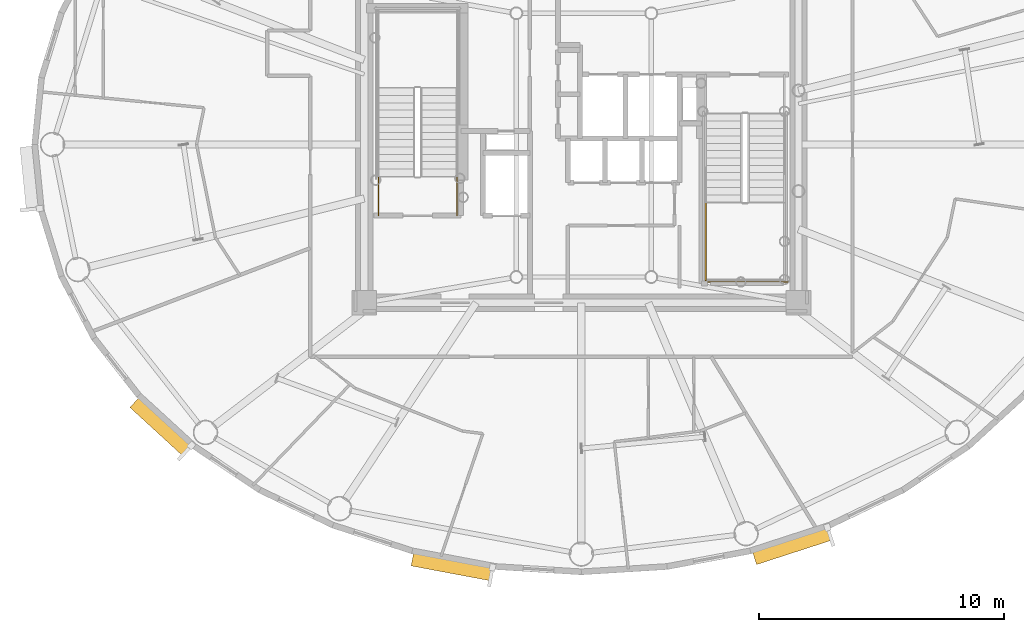
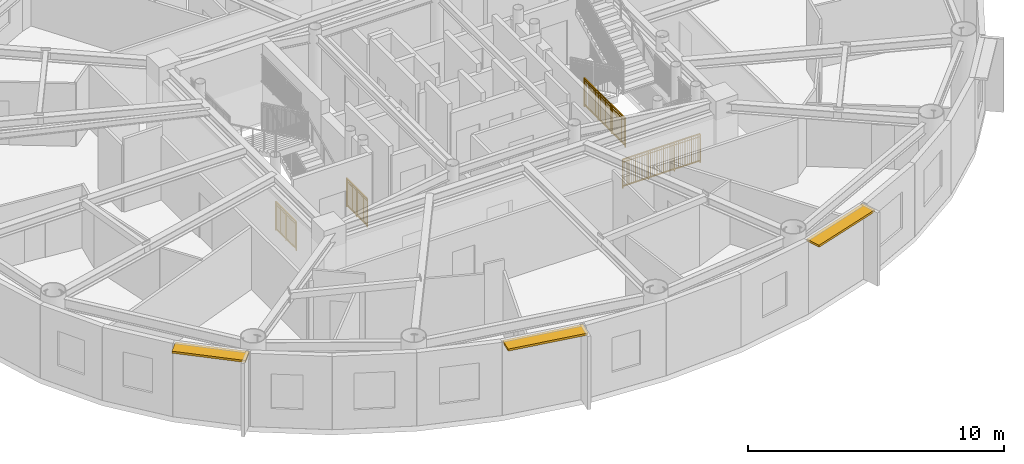
# One storey, part 12 of 18: 4 railings, 3 shading devices.
"""IFC4 building model written with IfcOpenShell, lengths in metres."""

from ifc_helpers import new_model, si_unit, direction, frame, origin, origin_2d, place, context, subcontext, project, spatial, rectangle, extrude, source, transform, mapped, material, layer, layer_set, type_object, element, save


model = new_model("IFC4")

# Units and contexts
model_context = context("Model", 3, precision=1e-05, world=origin(), true_north=direction((0.0, 1.0)))
body_context = subcontext(model_context, "Body", "Model", "MODEL_VIEW")
ifc_project = project(units=[si_unit("LENGTHUNIT", "METRE"), si_unit("AREAUNIT", "SQUARE_METRE"), si_unit("VOLUMEUNIT", "CUBIC_METRE"), si_unit("PLANEANGLEUNIT", "RADIAN"), si_unit("MASSUNIT", "GRAM", prefix="KILO")], contexts=[model_context])

# Site, building, storey
site_placement = place(None, origin())
site = spatial("IfcSite", under=ifc_project, at=site_placement, CompositionType="ELEMENT")
building_placement = place(site_placement, origin())
building = spatial("IfcBuilding", under=site, at=building_placement, Name="Linh Dai School and Residence Tower", CompositionType="ELEMENT")
storey_placement = place(building_placement, frame((0.0, 0.0, 291.75)))
storey = spatial("IfcBuildingStorey", under=building, at=storey_placement, Name="L72", CompositionType="ELEMENT", Elevation=291.75)

# Shading devices
ifc_material_1 = material(Name="Terracotta Ceramic Sunshade", Category="masonry")
ifc_layer = layer(ifc_material_1, 0.10009765625)
ifc_layer_set = layer_set([ifc_layer], Name="Terracotta Ceramic Sunshade")
shading_device_type = type_object("IfcShadingDeviceType", Name="SHD-TC-650", PredefinedType="USERDEFINED", material=ifc_layer_set)
shared_shape_1 = source(origin(), body_context, "Body", "SweptSolid", [
    extrude(rectangle(XDim=2.9541015625, YDim=0.64990234375, at=origin_2d()), origin(), (0.0, 0.0, 1.0), 0.10009765625),
])
shading_device_1_placement = place(storey_placement, frame((18.9111328125, 15.525390625, 3.3798828125), z_axis=(0.0, 0.0, 1.0), x_axis=(-0.737104227651, 0.675779074535, 0.0)))
element("IfcShadingDevice", 1, at=shading_device_1_placement, inside=storey, type_object=shading_device_type, Name="L72 Terracotta Horizontal Sunshade Band 25", ObjectType="SUNSHADE", PredefinedType="USERDEFINED", context=body_context, shape_type="MappedRepresentation", body=[
    mapped(shared_shape_1, transform((0.0, 0.0, 0.0), x_axis=(1.0, 0.0, 0.0), y_axis=(0.0, 1.0, 0.0), z_axis=(0.0, 0.0, 1.0), scale=1.0)),
])
shared_shape_2 = source(origin(), body_context, "Body", "SweptSolid", [
    extrude(rectangle(XDim=3.323486328125, YDim=0.64990234375, at=origin_2d()), origin(), (0.0, 0.0, 1.0), 0.10009765625),
])
shading_device_2_placement = place(storey_placement, frame((30.75732421875, 9.839599609375, 3.3798828125), z_axis=(0.0, 0.0, 1.0), x_axis=(-0.982785325002, 0.184751197452, 0.0)))
element("IfcShadingDevice", 2, at=shading_device_2_placement, inside=storey, type_object=shading_device_type, Name="L72 Terracotta Horizontal Sunshade Band 29", ObjectType="SUNSHADE", PredefinedType="USERDEFINED", context=body_context, shape_type="MappedRepresentation", body=[
    mapped(shared_shape_2, transform((0.0, 0.0, 0.0), x_axis=(1.0, 0.0, 0.0), y_axis=(0.0, 1.0, 0.0), z_axis=(0.0, 0.0, 1.0), scale=1.0)),
])
shared_shape_3 = source(origin(), body_context, "Body", "SweptSolid", [
    extrude(rectangle(XDim=3.26171875, YDim=0.64990234375, at=origin_2d()), origin(), (0.0, 0.0, 1.0), 0.10009765625),
])
shading_device_3_placement = place(storey_placement, frame((44.594970703125, 10.692626953125, 3.3798828125), z_axis=(0.0, 0.0, 1.0), x_axis=(-0.951218243545, -0.308518805176, 0.0)))
element("IfcShadingDevice", 3, at=shading_device_3_placement, inside=storey, type_object=shading_device_type, Name="L72 Terracotta Horizontal Sunshade Band 33", ObjectType="SUNSHADE", PredefinedType="USERDEFINED", context=body_context, shape_type="MappedRepresentation", body=[
    mapped(shared_shape_3, transform((0.0, 0.0, 0.0), x_axis=(1.0, 0.0, 0.0), y_axis=(0.0, 1.0, 0.0), z_axis=(0.0, 0.0, 1.0), scale=1.0)),
])

# Railings
ifc_material_2 = material(Name="Structural Steel S355JR", Category="steel")
railing_type = type_object("IfcRailingType", Name="RL-ST-GUARD-1400", PredefinedType="GUARDRAIL", material=ifc_material_2)
shared_shape_4 = source(origin(), body_context, "Body", "SweptSolid", [
    extrude(rectangle(XDim=0.048095703125, YDim=0.048095703125, at=origin_2d()), frame((0.0, 0.0, 1.3759765625), z_axis=(0.0, 1.0, 0.0), x_axis=(-1.0, 0.0, 0.0)), (0.0, 0.0, 1.0), 1.599853515625),
    extrude(rectangle(XDim=0.048095703125, YDim=0.048095703125, at=origin_2d()), frame((0.0, 0.0, 0.10009765625), z_axis=(0.0, 1.0, 0.0), x_axis=(-1.0, 0.0, 0.0)), (0.0, 0.0, 1.0), 1.599853515625),
    extrude(rectangle(XDim=0.030029296875, YDim=0.030029296875, at=origin_2d()), frame((0.0, 0.0, 1.239990234375), z_axis=(0.0, 1.0, 0.0), x_axis=(-1.0, 0.0, 0.0)), (0.0, 0.0, 1.0), 1.599853515625),
    extrude(rectangle(XDim=0.02001953125, YDim=0.02001953125, at=origin_2d()), frame((0.0, 0.093994140625, 0.10009765625)), (0.0, 0.0, 1.0), 1.251708984375),
    extrude(rectangle(XDim=0.02001953125, YDim=0.02001953125, at=origin_2d()), frame((0.0, 0.188232421875, 0.10009765625)), (0.0, 0.0, 1.0), 1.251708984375),
    extrude(rectangle(XDim=0.02001953125, YDim=0.02001953125, at=origin_2d()), frame((0.0, 0.2822265625, 0.10009765625)), (0.0, 0.0, 1.0), 1.251708984375),
    extrude(rectangle(XDim=0.02001953125, YDim=0.02001953125, at=origin_2d()), frame((0.0, 0.37646484375, 0.10009765625)), (0.0, 0.0, 1.0), 1.251708984375),
    extrude(rectangle(XDim=0.02001953125, YDim=0.02001953125, at=origin_2d()), frame((0.0, 0.470458984375, 0.10009765625)), (0.0, 0.0, 1.0), 1.251708984375),
    extrude(rectangle(XDim=0.02001953125, YDim=0.02001953125, at=origin_2d()), frame((0.0, 0.564697265625, 0.10009765625)), (0.0, 0.0, 1.0), 1.251708984375),
    extrude(rectangle(XDim=0.02001953125, YDim=0.02001953125, at=origin_2d()), frame((0.0, 0.65869140625, 0.10009765625)), (0.0, 0.0, 1.0), 1.251708984375),
    extrude(rectangle(XDim=0.02001953125, YDim=0.02001953125, at=origin_2d()), frame((0.0, 0.7529296875, 0.10009765625)), (0.0, 0.0, 1.0), 1.251708984375),
    extrude(rectangle(XDim=0.02001953125, YDim=0.02001953125, at=origin_2d()), frame((0.0, 0.846923828125, 0.10009765625)), (0.0, 0.0, 1.0), 1.251708984375),
    extrude(rectangle(XDim=0.02001953125, YDim=0.02001953125, at=origin_2d()), frame((0.0, 0.941162109375, 0.10009765625)), (0.0, 0.0, 1.0), 1.251708984375),
    extrude(rectangle(XDim=0.02001953125, YDim=0.02001953125, at=origin_2d()), frame((0.0, 1.03515625, 0.10009765625)), (0.0, 0.0, 1.0), 1.251708984375),
    extrude(rectangle(XDim=0.02001953125, YDim=0.02001953125, at=origin_2d()), frame((0.0, 1.12939453125, 0.10009765625)), (0.0, 0.0, 1.0), 1.251708984375),
    extrude(rectangle(XDim=0.02001953125, YDim=0.02001953125, at=origin_2d()), frame((0.0, 1.223388671875, 0.10009765625)), (0.0, 0.0, 1.0), 1.251708984375),
    extrude(rectangle(XDim=0.02001953125, YDim=0.02001953125, at=origin_2d()), frame((0.0, 1.317626953125, 0.10009765625)), (0.0, 0.0, 1.0), 1.251708984375),
    extrude(rectangle(XDim=0.02001953125, YDim=0.02001953125, at=origin_2d()), frame((0.0, 1.41162109375, 0.10009765625)), (0.0, 0.0, 1.0), 1.251708984375),
    extrude(rectangle(XDim=0.02001953125, YDim=0.02001953125, at=origin_2d()), frame((0.0, 1.505859375, 0.10009765625)), (0.0, 0.0, 1.0), 1.251708984375),
    extrude(rectangle(XDim=0.0419921875, YDim=0.0419921875, at=origin_2d()), origin(), (0.0, 0.0, 1.0), 1.3759765625),
    extrude(rectangle(XDim=0.0419921875, YDim=0.0419921875, at=origin_2d()), frame((0.0, 0.7998046875, 0.0)), (0.0, 0.0, 1.0), 1.3759765625),
    extrude(rectangle(XDim=0.0419921875, YDim=0.0419921875, at=origin_2d()), frame((0.0, 1.599853515625, 0.0)), (0.0, 0.0, 1.0), 1.3759765625),
])
for number, where, name in (
    (4, (30.929931640625, 24.10009765625, 0.0), "L72 ST1 stair guard 8"),
    (5, (27.72998046875, 24.10009765625, 0.0), "L72 ST1 stair guard 9"),
):
    element("IfcRailing", number, at=place(storey_placement, frame(where)), inside=storey, type_object=railing_type, Name=name, PredefinedType="GUARDRAIL", context=body_context, shape_type="MappedRepresentation", body=[
        mapped(shared_shape_4, transform((0.0, 0.0, 0.0), x_axis=(1.0, 0.0, 0.0), y_axis=(0.0, 1.0, 0.0), z_axis=(0.0, 0.0, 1.0), scale=1.0)),
    ])
shared_shape_5 = source(origin(), body_context, "Body", "SweptSolid", [
    extrude(rectangle(XDim=0.048095703125, YDim=0.048095703125, at=origin_2d()), frame((0.0, 0.0, 1.3759765625), z_axis=(1.0, 0.0, 0.0), x_axis=(0.0, 1.0, 0.0)), (0.0, 0.0, 1.0), 3.5),
    extrude(rectangle(XDim=0.048095703125, YDim=0.048095703125, at=origin_2d()), frame((0.0, 0.0, 0.10009765625), z_axis=(1.0, 0.0, 0.0), x_axis=(0.0, 1.0, 0.0)), (0.0, 0.0, 1.0), 3.5),
    extrude(rectangle(XDim=0.030029296875, YDim=0.030029296875, at=origin_2d()), frame((0.0, 0.0, 1.239990234375), z_axis=(1.0, 0.0, 0.0), x_axis=(0.0, 1.0, 0.0)), (0.0, 0.0, 1.0), 3.5),
    extrude(rectangle(XDim=0.02001953125, YDim=0.02001953125, at=origin_2d()), frame((0.09716796875, 0.0, 0.10009765625)), (0.0, 0.0, 1.0), 1.251708984375),
    extrude(rectangle(XDim=0.02001953125, YDim=0.02001953125, at=origin_2d()), frame((0.1943359375, 0.0, 0.10009765625)), (0.0, 0.0, 1.0), 1.251708984375),
    extrude(rectangle(XDim=0.02001953125, YDim=0.02001953125, at=origin_2d()), frame((0.291748046875, 0.0, 0.10009765625)), (0.0, 0.0, 1.0), 1.251708984375),
    extrude(rectangle(XDim=0.02001953125, YDim=0.02001953125, at=origin_2d()), frame((0.388916015625, 0.0, 0.10009765625)), (0.0, 0.0, 1.0), 1.251708984375),
    extrude(rectangle(XDim=0.02001953125, YDim=0.02001953125, at=origin_2d()), frame((0.486083984375, 0.0, 0.10009765625)), (0.0, 0.0, 1.0), 1.251708984375),
    extrude(rectangle(XDim=0.02001953125, YDim=0.02001953125, at=origin_2d()), frame((0.583251953125, 0.0, 0.10009765625)), (0.0, 0.0, 1.0), 1.251708984375),
    extrude(rectangle(XDim=0.02001953125, YDim=0.02001953125, at=origin_2d()), frame((0.6806640625, 0.0, 0.10009765625)), (0.0, 0.0, 1.0), 1.251708984375),
    extrude(rectangle(XDim=0.02001953125, YDim=0.02001953125, at=origin_2d()), frame((0.77783203125, 0.0, 0.10009765625)), (0.0, 0.0, 1.0), 1.251708984375),
    extrude(rectangle(XDim=0.02001953125, YDim=0.02001953125, at=origin_2d()), frame((0.875, 0.0, 0.10009765625)), (0.0, 0.0, 1.0), 1.251708984375),
    extrude(rectangle(XDim=0.02001953125, YDim=0.02001953125, at=origin_2d()), frame((0.97216796875, 0.0, 0.10009765625)), (0.0, 0.0, 1.0), 1.251708984375),
    extrude(rectangle(XDim=0.02001953125, YDim=0.02001953125, at=origin_2d()), frame((1.0693359375, 0.0, 0.10009765625)), (0.0, 0.0, 1.0), 1.251708984375),
    extrude(rectangle(XDim=0.02001953125, YDim=0.02001953125, at=origin_2d()), frame((1.263916015625, 0.0, 0.10009765625)), (0.0, 0.0, 1.0), 1.251708984375),
    extrude(rectangle(XDim=0.02001953125, YDim=0.02001953125, at=origin_2d()), frame((1.361083984375, 0.0, 0.10009765625)), (0.0, 0.0, 1.0), 1.251708984375),
    extrude(rectangle(XDim=0.02001953125, YDim=0.02001953125, at=origin_2d()), frame((1.458251953125, 0.0, 0.10009765625)), (0.0, 0.0, 1.0), 1.251708984375),
    extrude(rectangle(XDim=0.02001953125, YDim=0.02001953125, at=origin_2d()), frame((1.5556640625, 0.0, 0.10009765625)), (0.0, 0.0, 1.0), 1.251708984375),
    extrude(rectangle(XDim=0.02001953125, YDim=0.02001953125, at=origin_2d()), frame((1.65283203125, 0.0, 0.10009765625)), (0.0, 0.0, 1.0), 1.251708984375),
    extrude(rectangle(XDim=0.02001953125, YDim=0.02001953125, at=origin_2d()), frame((1.75, 0.0, 0.10009765625)), (0.0, 0.0, 1.0), 1.251708984375),
    extrude(rectangle(XDim=0.02001953125, YDim=0.02001953125, at=origin_2d()), frame((1.84716796875, 0.0, 0.10009765625)), (0.0, 0.0, 1.0), 1.251708984375),
    extrude(rectangle(XDim=0.02001953125, YDim=0.02001953125, at=origin_2d()), frame((1.9443359375, 0.0, 0.10009765625)), (0.0, 0.0, 1.0), 1.251708984375),
    extrude(rectangle(XDim=0.02001953125, YDim=0.02001953125, at=origin_2d()), frame((2.041748046875, 0.0, 0.10009765625)), (0.0, 0.0, 1.0), 1.251708984375),
    extrude(rectangle(XDim=0.02001953125, YDim=0.02001953125, at=origin_2d()), frame((2.138916015625, 0.0, 0.10009765625)), (0.0, 0.0, 1.0), 1.251708984375),
    extrude(rectangle(XDim=0.02001953125, YDim=0.02001953125, at=origin_2d()), frame((2.236083984375, 0.0, 0.10009765625)), (0.0, 0.0, 1.0), 1.251708984375),
    extrude(rectangle(XDim=0.02001953125, YDim=0.02001953125, at=origin_2d()), frame((2.4306640625, 0.0, 0.10009765625)), (0.0, 0.0, 1.0), 1.251708984375),
    extrude(rectangle(XDim=0.02001953125, YDim=0.02001953125, at=origin_2d()), frame((2.52783203125, 0.0, 0.10009765625)), (0.0, 0.0, 1.0), 1.251708984375),
    extrude(rectangle(XDim=0.02001953125, YDim=0.02001953125, at=origin_2d()), frame((2.625, 0.0, 0.10009765625)), (0.0, 0.0, 1.0), 1.251708984375),
    extrude(rectangle(XDim=0.02001953125, YDim=0.02001953125, at=origin_2d()), frame((2.72216796875, 0.0, 0.10009765625)), (0.0, 0.0, 1.0), 1.251708984375),
    extrude(rectangle(XDim=0.02001953125, YDim=0.02001953125, at=origin_2d()), frame((2.8193359375, 0.0, 0.10009765625)), (0.0, 0.0, 1.0), 1.251708984375),
    extrude(rectangle(XDim=0.02001953125, YDim=0.02001953125, at=origin_2d()), frame((2.916748046875, 0.0, 0.10009765625)), (0.0, 0.0, 1.0), 1.251708984375),
    extrude(rectangle(XDim=0.02001953125, YDim=0.02001953125, at=origin_2d()), frame((3.013916015625, 0.0, 0.10009765625)), (0.0, 0.0, 1.0), 1.251708984375),
    extrude(rectangle(XDim=0.02001953125, YDim=0.02001953125, at=origin_2d()), frame((3.111083984375, 0.0, 0.10009765625)), (0.0, 0.0, 1.0), 1.251708984375),
    extrude(rectangle(XDim=0.02001953125, YDim=0.02001953125, at=origin_2d()), frame((3.208251953125, 0.0, 0.10009765625)), (0.0, 0.0, 1.0), 1.251708984375),
    extrude(rectangle(XDim=0.02001953125, YDim=0.02001953125, at=origin_2d()), frame((3.3056640625, 0.0, 0.10009765625)), (0.0, 0.0, 1.0), 1.251708984375),
    extrude(rectangle(XDim=0.02001953125, YDim=0.02001953125, at=origin_2d()), frame((3.40283203125, 0.0, 0.10009765625)), (0.0, 0.0, 1.0), 1.251708984375),
    extrude(rectangle(XDim=0.0419921875, YDim=0.0419921875, at=origin_2d()), origin(), (0.0, 0.0, 1.0), 1.3759765625),
    extrude(rectangle(XDim=0.0419921875, YDim=0.0419921875, at=origin_2d()), frame((1.166748046875, 0.0, 0.0)), (0.0, 0.0, 1.0), 1.3759765625),
    extrude(rectangle(XDim=0.0419921875, YDim=0.0419921875, at=origin_2d()), frame((2.333251953125, 0.0, 0.0)), (0.0, 0.0, 1.0), 1.3759765625),
    extrude(rectangle(XDim=0.0419921875, YDim=0.0419921875, at=origin_2d()), frame((3.5, 0.0, 0.0)), (0.0, 0.0, 1.0), 1.3759765625),
])
railing_1_placement = place(storey_placement, frame((40.919921875, 21.39990234375, 0.0)))
element("IfcRailing", 6, at=railing_1_placement, inside=storey, type_object=railing_type, Name="L72 ST2 stair guard 12", PredefinedType="GUARDRAIL", context=body_context, shape_type="MappedRepresentation", body=[
    mapped(shared_shape_5, transform((0.0, 0.0, 0.0), x_axis=(1.0, 0.0, 0.0), y_axis=(0.0, 1.0, 0.0), z_axis=(0.0, 0.0, 1.0), scale=1.0)),
])
shared_shape_6 = source(origin(), body_context, "Body", "SweptSolid", [
    extrude(rectangle(XDim=0.048095703125, YDim=0.048095703125, at=origin_2d()), frame((0.0, 0.0, 1.3759765625), z_axis=(0.0, -1.0, 0.0), x_axis=(1.0, 0.0, 0.0)), (0.0, 0.0, 1.0), 3.199951171875),
    extrude(rectangle(XDim=0.048095703125, YDim=0.048095703125, at=origin_2d()), frame((0.0, 0.0, 0.10009765625), z_axis=(0.0, -1.0, 0.0), x_axis=(1.0, 0.0, 0.0)), (0.0, 0.0, 1.0), 3.199951171875),
    extrude(rectangle(XDim=0.030029296875, YDim=0.030029296875, at=origin_2d()), frame((0.0, 0.0, 1.239990234375), z_axis=(0.0, -1.0, 0.0), x_axis=(1.0, 0.0, 0.0)), (0.0, 0.0, 1.0), 3.199951171875),
    extrude(rectangle(XDim=0.02001953125, YDim=0.02001953125, at=origin_2d()), frame((0.0, -0.096923828125, 0.10009765625)), (0.0, 0.0, 1.0), 1.251708984375),
    extrude(rectangle(XDim=0.02001953125, YDim=0.02001953125, at=origin_2d()), frame((0.0, -0.19384765625, 0.10009765625)), (0.0, 0.0, 1.0), 1.251708984375),
    extrude(rectangle(XDim=0.02001953125, YDim=0.02001953125, at=origin_2d()), frame((0.0, -0.291015625, 0.10009765625)), (0.0, 0.0, 1.0), 1.251708984375),
    extrude(rectangle(XDim=0.02001953125, YDim=0.02001953125, at=origin_2d()), frame((0.0, -0.387939453125, 0.10009765625)), (0.0, 0.0, 1.0), 1.251708984375),
    extrude(rectangle(XDim=0.02001953125, YDim=0.02001953125, at=origin_2d()), frame((0.0, -0.48486328125, 0.10009765625)), (0.0, 0.0, 1.0), 1.251708984375),
    extrude(rectangle(XDim=0.02001953125, YDim=0.02001953125, at=origin_2d()), frame((0.0, -0.581787109375, 0.10009765625)), (0.0, 0.0, 1.0), 1.251708984375),
    extrude(rectangle(XDim=0.02001953125, YDim=0.02001953125, at=origin_2d()), frame((0.0, -0.6787109375, 0.10009765625)), (0.0, 0.0, 1.0), 1.251708984375),
    extrude(rectangle(XDim=0.02001953125, YDim=0.02001953125, at=origin_2d()), frame((0.0, -0.775634765625, 0.10009765625)), (0.0, 0.0, 1.0), 1.251708984375),
    extrude(rectangle(XDim=0.02001953125, YDim=0.02001953125, at=origin_2d()), frame((0.0, -0.872802734375, 0.10009765625)), (0.0, 0.0, 1.0), 1.251708984375),
    extrude(rectangle(XDim=0.02001953125, YDim=0.02001953125, at=origin_2d()), frame((0.0, -0.9697265625, 0.10009765625)), (0.0, 0.0, 1.0), 1.251708984375),
    extrude(rectangle(XDim=0.02001953125, YDim=0.02001953125, at=origin_2d()), frame((0.0, -1.16357421875, 0.10009765625)), (0.0, 0.0, 1.0), 1.251708984375),
    extrude(rectangle(XDim=0.02001953125, YDim=0.02001953125, at=origin_2d()), frame((0.0, -1.260498046875, 0.10009765625)), (0.0, 0.0, 1.0), 1.251708984375),
    extrude(rectangle(XDim=0.02001953125, YDim=0.02001953125, at=origin_2d()), frame((0.0, -1.357666015625, 0.10009765625)), (0.0, 0.0, 1.0), 1.251708984375),
    extrude(rectangle(XDim=0.02001953125, YDim=0.02001953125, at=origin_2d()), frame((0.0, -1.45458984375, 0.10009765625)), (0.0, 0.0, 1.0), 1.251708984375),
    extrude(rectangle(XDim=0.02001953125, YDim=0.02001953125, at=origin_2d()), frame((0.0, -1.551513671875, 0.10009765625)), (0.0, 0.0, 1.0), 1.251708984375),
    extrude(rectangle(XDim=0.02001953125, YDim=0.02001953125, at=origin_2d()), frame((0.0, -1.6484375, 0.10009765625)), (0.0, 0.0, 1.0), 1.251708984375),
    extrude(rectangle(XDim=0.02001953125, YDim=0.02001953125, at=origin_2d()), frame((0.0, -1.745361328125, 0.10009765625)), (0.0, 0.0, 1.0), 1.251708984375),
    extrude(rectangle(XDim=0.02001953125, YDim=0.02001953125, at=origin_2d()), frame((0.0, -1.84228515625, 0.10009765625)), (0.0, 0.0, 1.0), 1.251708984375),
    extrude(rectangle(XDim=0.02001953125, YDim=0.02001953125, at=origin_2d()), frame((0.0, -1.939453125, 0.10009765625)), (0.0, 0.0, 1.0), 1.251708984375),
    extrude(rectangle(XDim=0.02001953125, YDim=0.02001953125, at=origin_2d()), frame((0.0, -2.036376953125, 0.10009765625)), (0.0, 0.0, 1.0), 1.251708984375),
    extrude(rectangle(XDim=0.02001953125, YDim=0.02001953125, at=origin_2d()), frame((0.0, -2.230224609375, 0.10009765625)), (0.0, 0.0, 1.0), 1.251708984375),
    extrude(rectangle(XDim=0.02001953125, YDim=0.02001953125, at=origin_2d()), frame((0.0, -2.3271484375, 0.10009765625)), (0.0, 0.0, 1.0), 1.251708984375),
    extrude(rectangle(XDim=0.02001953125, YDim=0.02001953125, at=origin_2d()), frame((0.0, -2.42431640625, 0.10009765625)), (0.0, 0.0, 1.0), 1.251708984375),
    extrude(rectangle(XDim=0.02001953125, YDim=0.02001953125, at=origin_2d()), frame((0.0, -2.521240234375, 0.10009765625)), (0.0, 0.0, 1.0), 1.251708984375),
    extrude(rectangle(XDim=0.02001953125, YDim=0.02001953125, at=origin_2d()), frame((0.0, -2.6181640625, 0.10009765625)), (0.0, 0.0, 1.0), 1.251708984375),
    extrude(rectangle(XDim=0.02001953125, YDim=0.02001953125, at=origin_2d()), frame((0.0, -2.715087890625, 0.10009765625)), (0.0, 0.0, 1.0), 1.251708984375),
    extrude(rectangle(XDim=0.02001953125, YDim=0.02001953125, at=origin_2d()), frame((0.0, -2.81201171875, 0.10009765625)), (0.0, 0.0, 1.0), 1.251708984375),
    extrude(rectangle(XDim=0.02001953125, YDim=0.02001953125, at=origin_2d()), frame((0.0, -2.908935546875, 0.10009765625)), (0.0, 0.0, 1.0), 1.251708984375),
    extrude(rectangle(XDim=0.02001953125, YDim=0.02001953125, at=origin_2d()), frame((0.0, -3.006103515625, 0.10009765625)), (0.0, 0.0, 1.0), 1.251708984375),
    extrude(rectangle(XDim=0.02001953125, YDim=0.02001953125, at=origin_2d()), frame((0.0, -3.10302734375, 0.10009765625)), (0.0, 0.0, 1.0), 1.251708984375),
    extrude(rectangle(XDim=0.0419921875, YDim=0.0419921875, at=origin_2d()), origin(), (0.0, 0.0, 1.0), 1.3759765625),
    extrude(rectangle(XDim=0.0419921875, YDim=0.0419921875, at=origin_2d()), frame((0.0, -1.066650390625, 0.0)), (0.0, 0.0, 1.0), 1.3759765625),
    extrude(rectangle(XDim=0.0419921875, YDim=0.0419921875, at=origin_2d()), frame((0.0, -2.13330078125, 0.0)), (0.0, 0.0, 1.0), 1.3759765625),
    extrude(rectangle(XDim=0.0419921875, YDim=0.0419921875, at=origin_2d()), frame((0.0, -3.199951171875, 0.0)), (0.0, 0.0, 1.0), 1.3759765625),
])
railing_2_placement = place(storey_placement, frame((41.070068359375, 24.64990234375, 1.875)))
element("IfcRailing", 7, at=railing_2_placement, inside=storey, type_object=railing_type, Name="L72 ST2 stair guard 3", PredefinedType="GUARDRAIL", context=body_context, shape_type="MappedRepresentation", body=[
    mapped(shared_shape_6, transform((0.0, 0.0, 0.0), x_axis=(1.0, 0.0, 0.0), y_axis=(0.0, 1.0, 0.0), z_axis=(0.0, 0.0, 1.0), scale=1.0)),
])

save(model, "model.ifc")
